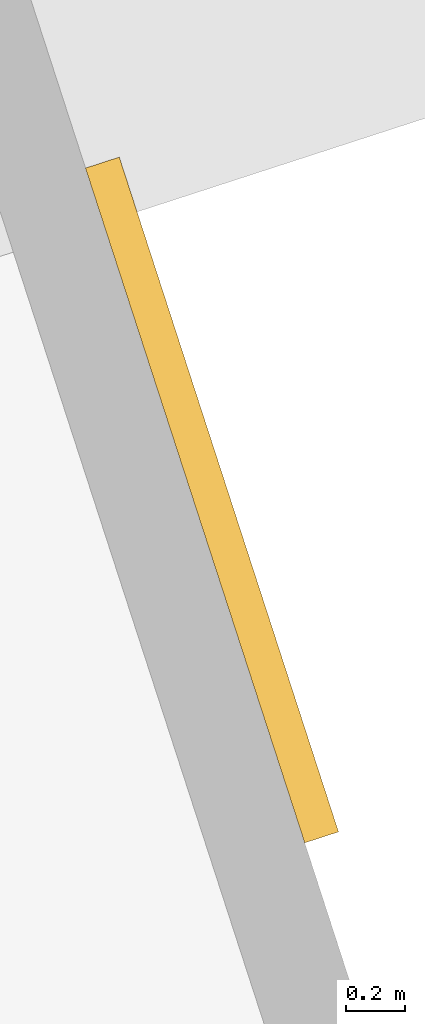
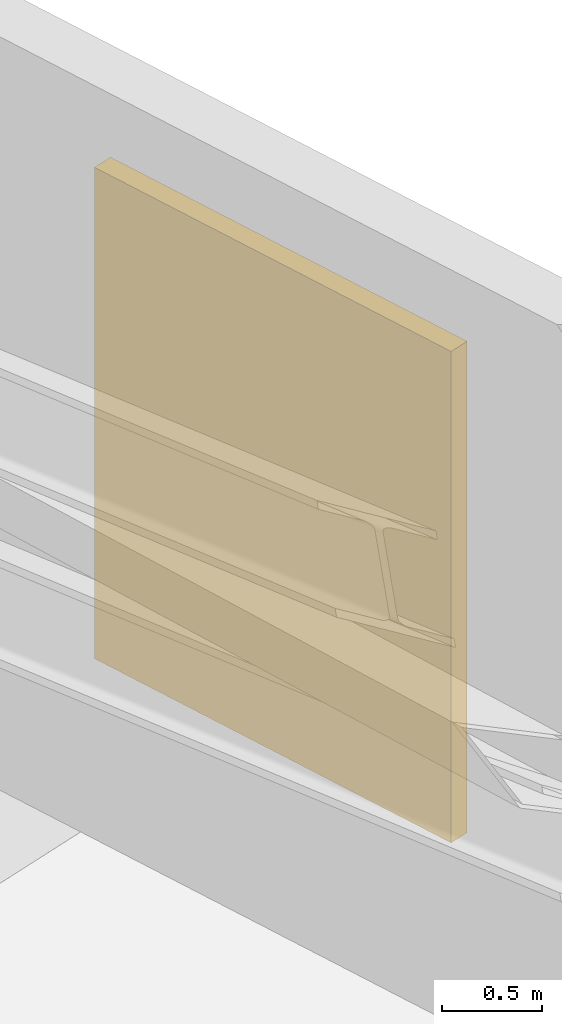
# One storey, part 15 of 15: 1 shading device.
"""IFC4 building model written with IfcOpenShell, lengths in metres."""

import ifcopenshell
import ifcopenshell.guid

model = None  # the IFC model being written
_history = None  # IfcOwnerHistory: only IFC2X3 demands one
_inside = {}  # id of a spatial element -> (the spatial element, [elements in it])
_under = {}  # id of a project, library or spatial element -> (it, [spatial elements below it])
_declared = {}  # id of a project -> (the project, [libraries it declares])
_typed = {}  # id of a type object -> (the type object, [elements of that type])
_made_of = {}  # id of a material, layer set ... -> (it, [elements and type objects made of it])


def new_model(schema):
    """Start an empty IFC model of exactly this schema.

    Asked for "IFC4X3", IfcOpenShell would pick the latest addendum, in which some entities
    have other attributes; the version numbers below select the first issue.
    IFC2X3 requires an IfcOwnerHistory on every rooted entity: one is made here for all.
    """
    global model, _history
    if schema == "IFC4X3":
        model = ifcopenshell.file(schema_version=(4, 3, 0, 0))
    else:
        model = ifcopenshell.file(schema=schema)
    _inside.clear()
    _under.clear()
    _declared.clear()
    _typed.clear()
    _made_of.clear()
    _history = None
    if model.schema == "IFC2X3":
        org = make("IfcOrganization", Name="unknown")
        user = make(
            "IfcPersonAndOrganization",
            ThePerson=make("IfcPerson", FamilyName="unknown"),
            TheOrganization=org,
        )
        app = make(
            "IfcApplication",
            ApplicationDeveloper=org,
            Version="unknown",
            ApplicationFullName="unknown",
            ApplicationIdentifier="unknown",
        )
        _history = make(
            "IfcOwnerHistory",
            OwningUser=user,
            OwningApplication=app,
            ChangeAction="ADDED",
            CreationDate=0,
        )
    return model


def make(cls, **values):
    """One entity of the class cls with the attributes given. An attribute that is None is left unset."""
    return model.create_entity(
        cls, **{name: value for name, value in values.items() if value is not None}
    )


def rooted(cls, **values):
    """An entity with a GlobalId (a new one), such as an element, a storey or a relation."""
    return make(cls, GlobalId=ifcopenshell.guid.new(), OwnerHistory=_history, **values)


def si_unit(unit_type, name, prefix=None):
    """IfcSIUnit, for example si_unit("LENGTHUNIT", "METRE", prefix="MILLI")."""
    return make("IfcSIUnit", UnitType=unit_type, Prefix=prefix, Name=name)


def assignment(units):
    """IfcUnitAssignment: the units of a project."""
    return None if units is None else make("IfcUnitAssignment", Units=units)


def point(xyz):
    """IfcCartesianPoint."""
    return None if xyz is None else make("IfcCartesianPoint", Coordinates=xyz)


def direction(xyz):
    """IfcDirection."""
    return None if xyz is None else make("IfcDirection", DirectionRatios=xyz)


def frame(location, z_axis=None, x_axis=None):
    """IfcAxis2Placement3D, a coordinate frame: its origin and axes. An axis left out is left unset."""
    return make(
        "IfcAxis2Placement3D",
        Location=point(location),
        Axis=direction(z_axis),
        RefDirection=direction(x_axis),
    )


def frame_2d(location, x_axis=None):
    """IfcAxis2Placement2D, a coordinate frame in the plane: its origin and x axis."""
    return make(
        "IfcAxis2Placement2D", Location=point(location), RefDirection=direction(x_axis)
    )


def origin():
    """The frame at (0, 0, 0) with its axes left unset."""
    return frame((0.0, 0.0, 0.0))


def origin_2d():
    """The frame at (0, 0) in the plane with its x axis left unset."""
    return frame_2d((0.0, 0.0))


def place(relative_to, where):
    """IfcLocalPlacement: puts the frame where relative to a parent placement (None: the world)."""
    return make(
        "IfcLocalPlacement", PlacementRelTo=relative_to, RelativePlacement=where
    )


def context(
    kind, dimensions, precision=None, world=None, true_north=None, identifier=None
):
    """IfcGeometricRepresentationContext, for example the 3D "Model" context."""
    return make(
        "IfcGeometricRepresentationContext",
        ContextIdentifier=identifier,
        ContextType=kind,
        CoordinateSpaceDimension=dimensions,
        Precision=precision,
        WorldCoordinateSystem=world,
        TrueNorth=true_north,
    )


def subcontext(parent, identifier, kind, view, scale=None):
    """IfcGeometricRepresentationSubContext, for example "Body" below "Model"."""
    return make(
        "IfcGeometricRepresentationSubContext",
        ContextIdentifier=identifier,
        ContextType=kind,
        ParentContext=parent,
        TargetScale=scale,
        TargetView=view,
    )


def project(units=None, contexts=None):
    """IfcProject with its units and contexts."""
    return rooted(
        "IfcProject",
        Name="project",
        RepresentationContexts=contexts,
        UnitsInContext=assignment(units),
    )


def spatial(cls, under=None, at=None, **own):
    """A site, building, storey or space (cls), placed at a placement, below another one or the project."""
    s = rooted(cls, ObjectPlacement=at, **own)
    if under is not None:
        _under.setdefault(under.id(), (under, []))[1].append(s)
    return s


def profile(cls, at=None, kind="AREA", **sizes):
    """A parametric profile (cls). Its sizes go by their IFC names, for example OverallWidth=200.0."""
    return make(cls, ProfileType=kind, Position=at, **sizes)


def rectangle(**sizes):
    """IfcRectangleProfileDef."""
    return profile("IfcRectangleProfileDef", **sizes)


def extrude(swept, where, along, depth):
    """IfcExtrudedAreaSolid: the profile swept, set in the frame where, extruded along a direction by depth."""
    return make(
        "IfcExtrudedAreaSolid",
        SweptArea=swept,
        Position=where,
        ExtrudedDirection=direction(along),
        Depth=depth,
    )


def shape(context_of_items, identifier, shape_type, items):
    """IfcShapeRepresentation: the items that make up one representation, for example the "Body"."""
    return make(
        "IfcShapeRepresentation",
        ContextOfItems=context_of_items,
        RepresentationIdentifier=identifier,
        RepresentationType=shape_type,
        Items=items,
    )


def material(Name=None, Category=None):
    """IfcMaterial."""
    return make("IfcMaterial", Name=Name, Category=Category)


def made_of(thing, what):
    """Note that an element or type object is made of a material, layer set ...; save() writes the relation."""
    if what is not None:
        _made_of.setdefault(what.id(), (what, []))[1].append(thing)
    return thing


def type_object(cls, material=None, **own):
    """A type object (cls), such as IfcWallType, which elements share."""
    return made_of(rooted(cls, **own), material)


def element(
    cls,
    number,
    at=None,
    inside=None,
    cuts=None,
    type_object=None,
    material=None,
    context=None,
    identifier="Body",
    shape_type=None,
    held_by="IfcProductDefinitionShape",
    body=None,
    shapes=None,
    **own,
):
    """One element of the class cls, such as IfcWall. Its Tag is "e" and its number.

    at: its placement. inside: the storey or other place that contains it. cuts: it is an
    opening in that element (IfcRelVoidsElement). A single representation is given by context,
    identifier, shape_type and body (its items); several are given by shapes. held_by: the class
    of the entity that holds the representations. save() writes the other relations.
    """
    e = rooted(cls, Tag="e%d" % number, ObjectPlacement=at, **own)
    if body is not None:
        shapes = [shape(context, identifier, shape_type, body)]
    if shapes is not None:
        e.Representation = make(held_by, Representations=shapes)
    if inside is not None:
        _inside.setdefault(inside.id(), (inside, []))[1].append(e)
    if cuts is not None:
        rooted(
            "IfcRelVoidsElement", RelatingBuildingElement=cuts, RelatedOpeningElement=e
        )
    if type_object is not None:
        _typed.setdefault(type_object.id(), (type_object, []))[1].append(e)
    return made_of(e, material)


def aggregate(whole, parts):
    """IfcRelAggregates: a whole, such as a stair, and the parts it consists of."""
    return rooted("IfcRelAggregates", RelatingObject=whole, RelatedObjects=parts)


def save(model, path):
    """Write the relations noted so far, then the file.

    IfcRelAggregates (storeys below a building ...), IfcRelContainedInSpatialStructure (elements
    in a storey), IfcRelDefinesByType, IfcRelAssociatesMaterial and IfcRelDeclares: one each for
    every whole, place, type object, material and project.
    """
    for whole, parts in _under.values():
        aggregate(whole, parts)
    for where, things in _inside.values():
        rooted(
            "IfcRelContainedInSpatialStructure",
            RelatedElements=things,
            RelatingStructure=where,
        )
    for kind, things in _typed.values():
        rooted("IfcRelDefinesByType", RelatedObjects=things, RelatingType=kind)
    for what, things in _made_of.values():
        rooted("IfcRelAssociatesMaterial", RelatedObjects=things, RelatingMaterial=what)
    for by, libraries in _declared.values():
        rooted("IfcRelDeclares", RelatingContext=by, RelatedDefinitions=libraries)
    model.write(path)


model = new_model("IFC4")

# Units and contexts
model_context = context("Model", 3, precision=1e-05, world=origin(), true_north=direction((0.0, 1.0)))
body_context = subcontext(model_context, "Body", "Model", "MODEL_VIEW")
ifc_project = project(units=[si_unit("LENGTHUNIT", "METRE"), si_unit("AREAUNIT", "SQUARE_METRE"), si_unit("VOLUMEUNIT", "CUBIC_METRE"), si_unit("PLANEANGLEUNIT", "RADIAN"), si_unit("MASSUNIT", "GRAM", prefix="KILO")], contexts=[model_context])

# Site, building, storey
site_placement = place(None, origin())
site = spatial("IfcSite", under=ifc_project, at=site_placement, CompositionType="ELEMENT")
building_placement = place(site_placement, origin())
building = spatial("IfcBuilding", under=site, at=building_placement, Name="White Candle Pilgrim Tower", CompositionType="ELEMENT")
storey_placement = place(building_placement, frame((0.0, 0.0, 295.10009765625)))
storey = spatial("IfcBuildingStorey", under=building, at=storey_placement, Name="L70", CompositionType="ELEMENT", Elevation=295.10009765625)

# Shading device
ifc_material = material(Name="Aluminium", Category="aluminium")
shading_device_type = type_object("IfcShadingDeviceType", Name="Plant louvre LV1 2400x3000 aluminium framed", PredefinedType="USERDEFINED", material=ifc_material)
shading_device_placement = place(storey_placement, frame((88.0556640625, 80.922607421875, 0.7998046875), z_axis=(0.0, 0.0, 1.0), x_axis=(-0.309016998591, 0.951056514925, 0.0)))
element("IfcShadingDevice", 1, at=shading_device_placement, inside=storey, type_object=shading_device_type, Name="Plant louvre L70 ENE 5", ObjectType="LOUVRE", PredefinedType="USERDEFINED", context=body_context, shape_type="SweptSolid", body=[
    extrude(rectangle(XDim=2.39990234375, YDim=0.1201171875, at=origin_2d()), origin(), (0.0, 0.0, 1.0), 3.0),
])

save(model, "model.ifc")
